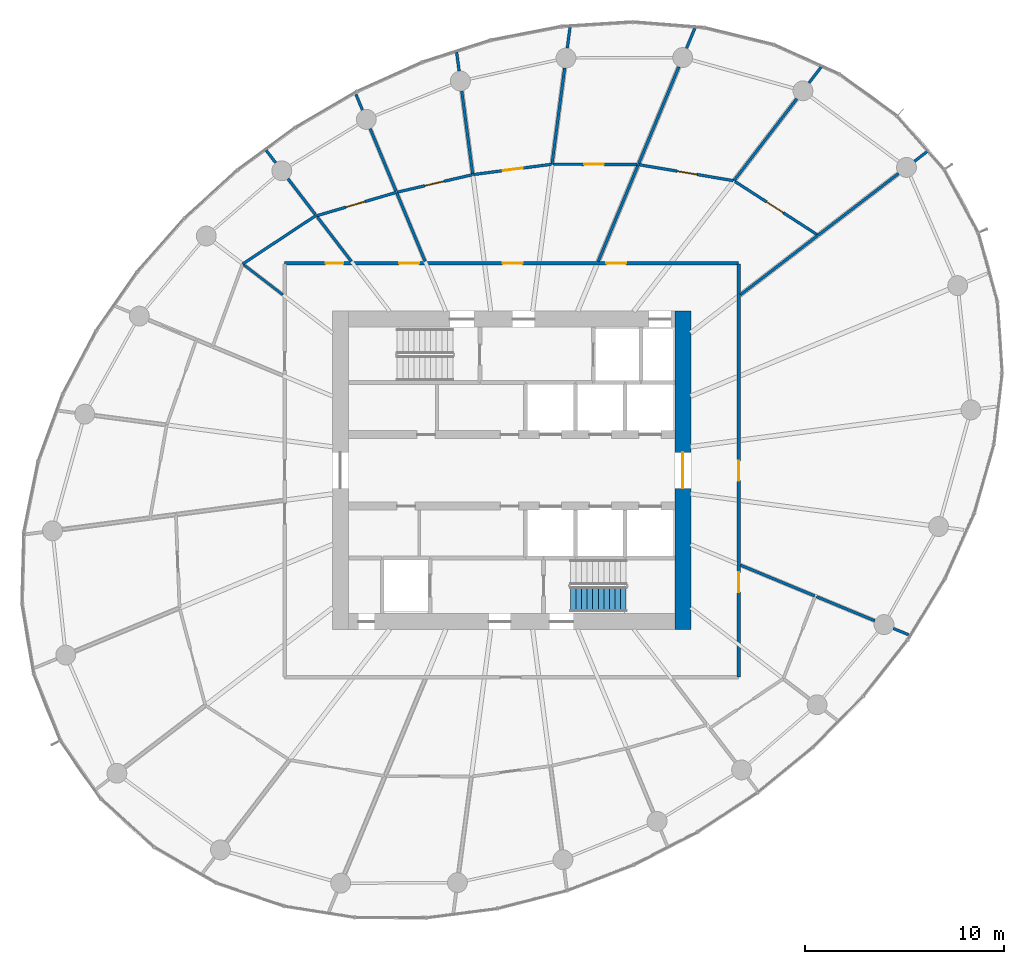
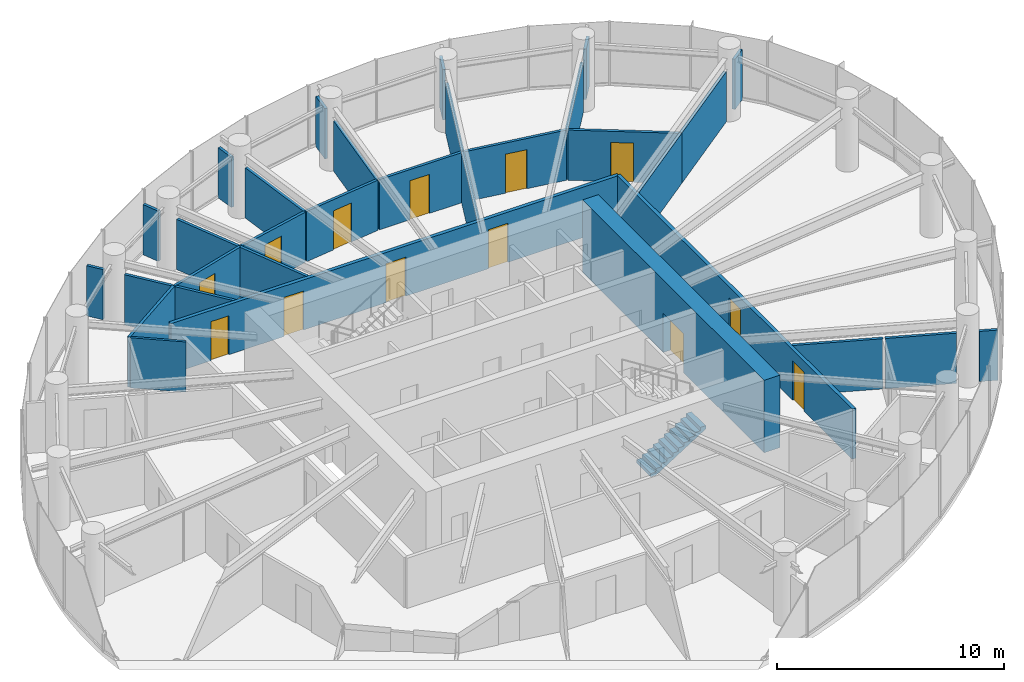
# One storey, part 11 of 15: 32 walls, 13 doors, 1 stair flight, 13 openings, 1 element without a shape of its own.
"""IFC4 building model written with IfcOpenShell, lengths in metres."""

from ifc_helpers import new_model, si_unit, direction, frame, frame_2d, origin, place, context, subcontext, project, spatial, line, indexed_curve, rectangle, outline, extrude, source, transform, mapped, material, layer, layer_set, type_object, element, fill, aggregate, save


model = new_model("IFC4")

# Units and contexts
model_context = context("Model", 3, precision=1e-05, world=origin(), true_north=direction((0.0, 1.0)))
body_context = subcontext(model_context, "Body", "Model", "MODEL_VIEW")
ifc_project = project(units=[si_unit("LENGTHUNIT", "METRE"), si_unit("AREAUNIT", "SQUARE_METRE"), si_unit("VOLUMEUNIT", "CUBIC_METRE"), si_unit("PLANEANGLEUNIT", "RADIAN"), si_unit("MASSUNIT", "GRAM", prefix="KILO")], contexts=[model_context])

# Site, building, storey
site_placement = place(None, origin())
site = spatial("IfcSite", under=ifc_project, at=site_placement, CompositionType="ELEMENT")
building_placement = place(site_placement, origin())
building = spatial("IfcBuilding", under=site, at=building_placement, Name="Spindrift Exchange Tower", CompositionType="ELEMENT")
storey_placement = place(building_placement, frame((0.0, 0.0, 176.0)))
storey = spatial("IfcBuildingStorey", under=building, at=storey_placement, Name="L42", CompositionType="ELEMENT", Elevation=176.0)

# Wall, opening, door
ifc_material_1 = material(Name="Concrete 65 MPa", Category="concrete")
ifc_layer_1 = layer(ifc_material_1, 0.800048828125)
ifc_layer_set_1 = layer_set([ifc_layer_1], Name="RC Core Wall 800 Concrete 65 MPa")
wall_type_1 = type_object("IfcWallType", Name="RC Core Wall 800 Concrete 65 MPa", PredefinedType="SHEAR", material=ifc_layer_set_1)
wall_1_placement = place(storey_placement, frame((60.60009765625, 40.0, 0.0), z_axis=(0.0, 0.0, 1.0), x_axis=(0.0, 1.0, 0.0)))
wall_1 = element("IfcWall", 1, at=wall_1_placement, inside=storey, type_object=wall_type_1, Name="Core wall E L42", PredefinedType="SHEAR", context=body_context, shape_type="SweptSolid", body=[
    extrude(rectangle(XDim=16.0, YDim=0.800048828125, at=frame_2d((8.0, 0.0))), origin(), (0.0, 0.0, 1.0), 3.89990234375),
])
opening_1_placement = place(wall_1_placement, frame((7.10009765625, 0.0, 0.0)))
opening_1 = element("IfcOpeningElement", 2, at=opening_1_placement, cuts=wall_1, Name="Opening L42-D2", PredefinedType="OPENING", context=body_context, shape_type="SweptSolid", body=[
    extrude(rectangle(XDim=1.800048828125, YDim=2.10009765625, at=frame_2d((0.89990234375, 1.050048828125))), frame((0.0, 0.409912109375, 0.0), z_axis=(0.0, -1.0, 0.0), x_axis=(1.0, 0.0, 0.0)), (0.0, 0.0, 1.0), 0.820068359375),
])
ifc_material_2 = material(Name="Timber-core fire door", Category="wood")
door_type_1 = type_object("IfcDoorType", Name="DR-LOBBY-1800", OperationType="NOTDEFINED", PredefinedType="DOOR", material=ifc_material_2)
shared_shape_1 = source(origin(), body_context, "Body", "SweptSolid", [
    extrude(rectangle(XDim=1.800048828125, YDim=2.10009765625, at=frame_2d((0.89990234375, 1.050048828125))), frame((0.0, 0.02490234375, 0.0), z_axis=(0.0, -1.0, 0.0), x_axis=(1.0, 0.0, 0.0)), (0.0, 0.0, 1.0), 0.050048828125),
])
door_1_placement = place(opening_1_placement, origin())
door_1 = element("IfcDoor", 3, at=door_1_placement, inside=storey, type_object=door_type_1, Name="L42 Lobby door 2", OperationType="SINGLE_SWING_RIGHT", OverallHeight=2.10009765625, OverallWidth=1.800048828125, PredefinedType="DOOR", context=body_context, shape_type="MappedRepresentation", body=[
    mapped(shared_shape_1, transform((0.0, 0.0, 0.0), scale=1.0)),
])
fill(opening_1, door_1)

# Wall, openings, doors
ifc_material_3 = material(Name="Fire-rated plasterboard partition", Category="gypsum")
ifc_layer_2 = layer(ifc_material_3, 0.179931640625)
ifc_layer_set_2 = layer_set([ifc_layer_2], Name="W-CORR-180")
wall_type_2 = type_object("IfcWallType", Name="W-CORR-180", PredefinedType="PARTITIONING", material=ifc_layer_set_2)
wall_2_placement = place(storey_placement, frame((40.60009765625, 58.39990234375, 0.0), z_axis=(0.0, 0.0, 1.0), x_axis=(1.0, 0.0, 0.0)))
wall_2 = element("IfcWall", 4, at=wall_2_placement, inside=storey, type_object=wall_type_2, Name="L42 Partition wall 27", PredefinedType="PARTITIONING", context=body_context, shape_type="SweptSolid", body=[
    extrude(rectangle(XDim=22.7998046875, YDim=0.179931640625, at=frame_2d((11.39990234375, 0.0))), origin(), (0.0, 0.0, 1.0), 2.699951171875),
])
opening_2_placement = place(wall_2_placement, frame((2.050048828125, 0.0, 0.0)))
opening_2 = element("IfcOpeningElement", 5, at=opening_2_placement, cuts=wall_2, Name="Opening L42-D19", PredefinedType="OPENING", context=body_context, shape_type="SweptSolid", body=[
    extrude(rectangle(XDim=0.89990234375, YDim=2.10009765625, at=frame_2d((0.449951171875, 1.050048828125))), frame((0.0, 0.099853515625, 0.0), z_axis=(0.0, -1.0, 0.0), x_axis=(1.0, 0.0, 0.0)), (0.0, 0.0, 1.0), 0.199951171875),
])
opening_3_placement = place(wall_2_placement, frame((16.14990234375, 0.0, 0.0)))
opening_3 = element("IfcOpeningElement", 6, at=opening_3_placement, cuts=wall_2, Name="Opening L42-D39", PredefinedType="OPENING", context=body_context, shape_type="SweptSolid", body=[
    extrude(rectangle(XDim=1.0, YDim=2.10009765625, at=frame_2d((0.5, 1.050048828125))), frame((0.0, 0.099853515625, 0.0), z_axis=(0.0, -1.0, 0.0), x_axis=(1.0, 0.0, 0.0)), (0.0, 0.0, 1.0), 0.199951171875),
])
opening_4_placement = place(wall_2_placement, frame((10.949951171875, 0.0, 0.0)))
opening_4 = element("IfcOpeningElement", 7, at=opening_4_placement, cuts=wall_2, Name="Opening L42-D42", PredefinedType="OPENING", context=body_context, shape_type="SweptSolid", body=[
    extrude(rectangle(XDim=1.0, YDim=2.10009765625, at=frame_2d((0.5, 1.050048828125))), frame((0.0, 0.099853515625, 0.0), z_axis=(0.0, -1.0, 0.0), x_axis=(1.0, 0.0, 0.0)), (0.0, 0.0, 1.0), 0.199951171875),
])
opening_5_placement = place(wall_2_placement, frame((5.75, 0.0, 0.0)))
opening_5 = element("IfcOpeningElement", 8, at=opening_5_placement, cuts=wall_2, Name="Opening L42-D46", PredefinedType="OPENING", context=body_context, shape_type="SweptSolid", body=[
    extrude(rectangle(XDim=1.0, YDim=2.10009765625, at=frame_2d((0.5, 1.050048828125))), frame((0.0, 0.099853515625, 0.0), z_axis=(0.0, -1.0, 0.0), x_axis=(1.0, 0.0, 0.0)), (0.0, 0.0, 1.0), 0.199951171875),
])
door_type_2 = type_object("IfcDoorType", Name="DR-ROOM-1000", OperationType="NOTDEFINED", PredefinedType="DOOR", material=ifc_material_2)
shared_shape_2 = source(origin(), body_context, "Body", "SweptSolid", [
    extrude(rectangle(XDim=1.0, YDim=2.10009765625, at=frame_2d((0.5, 1.050048828125))), frame((0.0, 0.02490234375, 0.0), z_axis=(0.0, -1.0, 0.0), x_axis=(1.0, 0.0, 0.0)), (0.0, 0.0, 1.0), 0.050048828125),
])
door_2_placement = place(opening_3_placement, origin())
door_2 = element("IfcDoor", 9, at=door_2_placement, inside=storey, type_object=door_type_2, Name="L42 Door 39", OperationType="SINGLE_SWING_RIGHT", OverallHeight=2.10009765625, OverallWidth=1.0, PredefinedType="DOOR", context=body_context, shape_type="MappedRepresentation", body=[
    mapped(shared_shape_2, transform((0.0, 0.0, 0.0), scale=1.0)),
])
fill(opening_3, door_2)
door_3_placement = place(opening_4_placement, origin())
door_3 = element("IfcDoor", 10, at=door_3_placement, inside=storey, type_object=door_type_2, Name="L42 Door 42", OperationType="SINGLE_SWING_LEFT", OverallHeight=2.10009765625, OverallWidth=1.0, PredefinedType="DOOR", context=body_context, shape_type="MappedRepresentation", body=[
    mapped(shared_shape_2, transform((0.0, 0.0, 0.0), scale=1.0)),
])
fill(opening_4, door_3)
door_4_placement = place(opening_5_placement, origin())
door_4 = element("IfcDoor", 11, at=door_4_placement, inside=storey, type_object=door_type_2, Name="L42 Door 46", OperationType="SINGLE_SWING_LEFT", OverallHeight=2.10009765625, OverallWidth=1.0, PredefinedType="DOOR", context=body_context, shape_type="MappedRepresentation", body=[
    mapped(shared_shape_2, transform((0.0, 0.0, 0.0), scale=1.0)),
])
fill(opening_5, door_4)
ifc_material_4 = material(Name="Laminate washroom door", Category="wood")
door_type_3 = type_object("IfcDoorType", Name="DR-WC-900", OperationType="NOTDEFINED", PredefinedType="DOOR", material=ifc_material_4)
shared_shape_3 = source(origin(), body_context, "Body", "SweptSolid", [
    extrude(rectangle(XDim=0.89990234375, YDim=2.10009765625, at=frame_2d((0.449951171875, 1.050048828125))), frame((0.0, 0.02490234375, 0.0), z_axis=(0.0, -1.0, 0.0), x_axis=(1.0, 0.0, 0.0)), (0.0, 0.0, 1.0), 0.050048828125),
])
door_5_placement = place(opening_2_placement, origin())
door_5 = element("IfcDoor", 12, at=door_5_placement, inside=storey, type_object=door_type_3, Name="L42 WC door 19", OperationType="SINGLE_SWING_RIGHT", OverallHeight=2.10009765625, OverallWidth=0.89990234375, PredefinedType="DOOR", context=body_context, shape_type="MappedRepresentation", body=[
    mapped(shared_shape_3, transform((0.0, 0.0, 0.0), scale=1.0)),
])
fill(opening_2, door_5)

wall_3_placement = place(storey_placement, frame((63.39990234375, 58.3701171875, 0.0), z_axis=(0.0, 0.0, 1.0), x_axis=(0.0, -1.0, 0.0)))
wall_3 = element("IfcWall", 13, at=wall_3_placement, inside=storey, type_object=wall_type_2, Name="L42 Partition wall 29", PredefinedType="PARTITIONING", context=body_context, shape_type="SweptSolid", body=[
    extrude(rectangle(XDim=20.740234375, YDim=0.179931640625, at=frame_2d((10.3701171875, 0.0))), origin(), (0.0, 0.0, 1.0), 2.699951171875),
])
opening_6_placement = place(wall_3_placement, frame((15.489990234375, 0.0, 0.0)))
opening_6 = element("IfcOpeningElement", 14, at=opening_6_placement, cuts=wall_3, Name="Opening L42-D35", PredefinedType="OPENING", context=body_context, shape_type="SweptSolid", body=[
    extrude(rectangle(XDim=1.0, YDim=2.10009765625, at=frame_2d((0.5, 1.050048828125))), frame((0.0, 0.099853515625, 0.0), z_axis=(0.0, -1.0, 0.0), x_axis=(1.0, 0.0, 0.0)), (0.0, 0.0, 1.0), 0.199951171875),
])
opening_7_placement = place(wall_3_placement, frame((9.889892578125, 0.0, 0.0)))
opening_7 = element("IfcOpeningElement", 15, at=opening_7_placement, cuts=wall_3, Name="Opening L42-D38", PredefinedType="OPENING", context=body_context, shape_type="SweptSolid", body=[
    extrude(rectangle(XDim=1.0, YDim=2.10009765625, at=frame_2d((0.5, 1.050048828125))), frame((0.0, 0.099853515625, 0.0), z_axis=(0.0, -1.0, 0.0), x_axis=(1.0, 0.0, 0.0)), (0.0, 0.0, 1.0), 0.199951171875),
])
door_6_placement = place(opening_6_placement, origin())
door_6 = element("IfcDoor", 16, at=door_6_placement, inside=storey, type_object=door_type_2, Name="L42 Door 35", OperationType="SINGLE_SWING_RIGHT", OverallHeight=2.10009765625, OverallWidth=1.0, PredefinedType="DOOR", context=body_context, shape_type="MappedRepresentation", body=[
    mapped(shared_shape_2, transform((0.0, 0.0, 0.0), scale=1.0)),
])
fill(opening_6, door_6)
door_7_placement = place(opening_7_placement, origin())
door_7 = element("IfcDoor", 17, at=door_7_placement, inside=storey, type_object=door_type_2, Name="L42 Door 38", OperationType="SINGLE_SWING_LEFT", OverallHeight=2.10009765625, OverallWidth=1.0, PredefinedType="DOOR", context=body_context, shape_type="MappedRepresentation", body=[
    mapped(shared_shape_2, transform((0.0, 0.0, 0.0), scale=1.0)),
])
fill(opening_7, door_7)

# Walls
ifc_layer_3 = layer(ifc_material_3, 0.139892578125)
ifc_layer_set_3 = layer_set([ifc_layer_3], Name="W-PART-140")
wall_type_3 = type_object("IfcWallType", Name="W-PART-140", PredefinedType="PARTITIONING", material=ifc_layer_set_3)
wall_4_placement = place(storey_placement, frame((56.34521484375, 58.489990234375, 0.0), z_axis=(0.0, 0.0, 1.0), x_axis=(0.382665709235, 0.923886873473, 0.0)))
element("IfcWall", 18, at=wall_4_placement, inside=storey, type_object=wall_type_3, Name="L42 Partition wall 33", PredefinedType="PARTITIONING", context=body_context, shape_type="SweptSolid", body=[
    extrude(rectangle(XDim=5.26611328125, YDim=0.139892578125, at=frame_2d((2.633056640625, 0.0))), origin(), (0.0, 0.0, 1.0), 2.699951171875),
])
wall_5_placement = place(storey_placement, frame((58.371826171875, 63.3828125, 0.0), z_axis=(0.0, 0.0, 1.0), x_axis=(0.382675537461, 0.923882802648, 0.0)))
element("IfcWall", 19, at=wall_5_placement, inside=storey, type_object=wall_type_3, Name="L42 Partition wall 36", PredefinedType="PARTITIONING", context=body_context, shape_type="SweptSolid", body=[
    extrude(rectangle(XDim=5.28369140625, YDim=0.139892578125, at=frame_2d((2.641845703125, 0.0))), origin(), (0.0, 0.0, 1.0), 2.699951171875),
])
wall_6_placement = place(storey_placement, frame((63.159423828125, 62.543212890625, 0.0), z_axis=(0.0, 0.0, 1.0), x_axis=(0.608780216018, 0.793338924159, 0.0)))
element("IfcWall", 20, at=wall_6_placement, inside=storey, type_object=wall_type_3, Name="L42 Partition wall 38", PredefinedType="PARTITIONING", context=body_context, shape_type="SweptSolid", body=[
    extrude(rectangle(XDim=5.188232421875, YDim=0.139892578125, at=frame_2d((2.59423828125, 0.0))), origin(), (0.0, 0.0, 1.0), 2.699951171875),
])
wall_7_placement = place(storey_placement, frame((67.3857421875, 59.805908203125, 0.0), z_axis=(0.0, 0.0, 1.0), x_axis=(0.79337017358, 0.608739490811, 0.0)))
element("IfcWall", 21, at=wall_7_placement, inside=storey, type_object=wall_type_3, Name="L42 Partition wall 40", PredefinedType="PARTITIONING", context=body_context, shape_type="SweptSolid", body=[
    extrude(rectangle(XDim=5.09228515625, YDim=0.139892578125, at=frame_2d((2.546142578125, 0.0))), origin(), (0.0, 0.0, 1.0), 2.699951171875),
])

# Wall, opening, door
wall_8_placement = place(storey_placement, frame((63.21826171875, 62.5048828125, 0.0), z_axis=(0.0, 0.0, 1.0), x_axis=(0.839336490457, -0.543612229247, 0.0)))
wall_8 = element("IfcWall", 22, at=wall_8_placement, inside=storey, type_object=wall_type_3, Name="L42 Partition wall 42", PredefinedType="PARTITIONING", context=body_context, shape_type="SweptSolid", body=[
    extrude(rectangle(XDim=4.935302734375, YDim=0.139892578125, at=frame_2d((2.4677734375, 0.0))), origin(), (0.0, 0.0, 1.0), 2.699951171875),
])
opening_8_placement = place(wall_8_placement, frame((1.885009765625, 0.0, 0.0)))
opening_8 = element("IfcOpeningElement", 23, at=opening_8_placement, cuts=wall_8, Name="Opening L42-D40", PredefinedType="OPENING", context=body_context, shape_type="SweptSolid", body=[
    extrude(rectangle(XDim=1.0, YDim=2.10009765625, at=frame_2d((0.5, 1.050048828125))), frame((0.0, 0.079833984375, 0.0), z_axis=(0.0, -1.0, 0.0), x_axis=(1.0, 0.0, 0.0)), (0.0, 0.0, 1.0), 0.159912109375),
])
door_8_placement = place(opening_8_placement, origin())
door_8 = element("IfcDoor", 24, at=door_8_placement, inside=storey, type_object=door_type_2, Name="L42 Door 40", OperationType="SINGLE_SWING_LEFT", OverallHeight=2.10009765625, OverallWidth=1.0, PredefinedType="DOOR", context=body_context, shape_type="MappedRepresentation", body=[
    mapped(shared_shape_2, transform((0.0, 0.0, 0.0), scale=1.0)),
])
fill(opening_8, door_8)

# Walls
wall_9_placement = place(storey_placement, frame((63.489990234375, 56.816650390625, 0.0), z_axis=(0.0, 0.0, 1.0), x_axis=(0.793354275357, 0.608760210405, 0.0)))
element("IfcWall", 25, at=wall_9_placement, inside=storey, type_object=wall_type_3, Name="L42 Partition wall 44", PredefinedType="PARTITIONING", context=body_context, shape_type="SweptSolid", body=[
    extrude(rectangle(XDim=4.88037109375, YDim=0.139892578125, at=frame_2d((2.440185546875, 0.0))), origin(), (0.0, 0.0, 1.0), 2.699951171875),
])
wall_10_placement = place(storey_placement, frame((54.02392578125, 63.372802734375, 0.0), z_axis=(0.0, 0.0, 1.0), x_axis=(0.130536143806, 0.991443551172, 0.0)))
element("IfcWall", 26, at=wall_10_placement, inside=storey, type_object=wall_type_3, Name="L42 Partition wall 46", PredefinedType="PARTITIONING", context=body_context, shape_type="SweptSolid", body=[
    extrude(rectangle(XDim=4.8740234375, YDim=0.139892578125, at=frame_2d((2.43701171875, 0.0))), origin(), (0.0, 0.0, 1.0), 2.699951171875),
])

# Wall, opening, door
wall_11_placement = place(storey_placement, frame((58.389892578125, 63.35009765625, 0.0), z_axis=(0.0, 0.0, 1.0), x_axis=(0.985986026567, -0.166827921569, 0.0)))
wall_11 = element("IfcWall", 27, at=wall_11_placement, inside=storey, type_object=wall_type_3, Name="L42 Partition wall 48", PredefinedType="PARTITIONING", context=body_context, shape_type="SweptSolid", body=[
    extrude(rectangle(XDim=4.807373046875, YDim=0.139892578125, at=frame_2d((2.40380859375, 0.0))), origin(), (0.0, 0.0, 1.0), 2.699951171875),
])
opening_9_placement = place(wall_11_placement, frame((1.957275390625, 0.0, 0.0)))
opening_9 = element("IfcOpeningElement", 28, at=opening_9_placement, cuts=wall_11, Name="Opening L42-D41", PredefinedType="OPENING", context=body_context, shape_type="SweptSolid", body=[
    extrude(rectangle(XDim=1.0, YDim=2.10009765625, at=frame_2d((0.5, 1.050048828125))), frame((0.0, 0.079833984375, 0.0), z_axis=(0.0, -1.0, 0.0), x_axis=(1.0, 0.0, 0.0)), (0.0, 0.0, 1.0), 0.159912109375),
])
door_9_placement = place(opening_9_placement, origin())
door_9 = element("IfcDoor", 29, at=door_9_placement, inside=storey, type_object=door_type_2, Name="L42 Door 41", OperationType="SINGLE_SWING_RIGHT", OverallHeight=2.10009765625, OverallWidth=1.0, PredefinedType="DOOR", context=body_context, shape_type="MappedRepresentation", body=[
    mapped(shared_shape_2, transform((0.0, 0.0, 0.0), scale=1.0)),
])
fill(opening_9, door_9)

# Wall
wall_12_placement = place(storey_placement, frame((42.176513671875, 60.802490234375, 0.0), z_axis=(0.0, 0.0, 1.0), x_axis=(-0.83401747031, -0.551738034957, 0.0)))
element("IfcWall", 30, at=wall_12_placement, inside=storey, type_object=wall_type_3, Name="L42 Partition wall 55", PredefinedType="PARTITIONING", context=body_context, shape_type="SweptSolid", body=[
    extrude(rectangle(XDim=4.41796875, YDim=0.139892578125, at=frame_2d((2.208984375, 0.0))), origin(), (0.0, 0.0, 1.0), 2.699951171875),
])

# Wall, opening, door
wall_13_placement = place(storey_placement, frame((54.094482421875, 63.372314453125, 0.0), z_axis=(0.0, 0.0, 1.0), x_axis=(0.999991918788, -0.004020243687, 0.0)))
wall_13 = element("IfcWall", 31, at=wall_13_placement, inside=storey, type_object=wall_type_3, Name="L42 Partition wall 57", PredefinedType="PARTITIONING", context=body_context, shape_type="SweptSolid", body=[
    extrude(rectangle(XDim=4.190185546875, YDim=0.139892578125, at=frame_2d((2.09521484375, 0.0))), origin(), (0.0, 0.0, 1.0), 2.699951171875),
])
opening_10_placement = place(wall_13_placement, frame((1.540283203125, 0.0, 0.0)))
opening_10 = element("IfcOpeningElement", 32, at=opening_10_placement, cuts=wall_13, Name="Opening L42-D43", PredefinedType="OPENING", context=body_context, shape_type="SweptSolid", body=[
    extrude(rectangle(XDim=1.0, YDim=2.10009765625, at=frame_2d((0.5, 1.050048828125))), frame((0.0, 0.079833984375, 0.0), z_axis=(0.0, -1.0, 0.0), x_axis=(1.0, 0.0, 0.0)), (0.0, 0.0, 1.0), 0.159912109375),
])
door_10_placement = place(opening_10_placement, origin())
door_10 = element("IfcDoor", 33, at=door_10_placement, inside=storey, type_object=door_type_2, Name="L42 Door 43", OperationType="SINGLE_SWING_RIGHT", OverallHeight=2.10009765625, OverallWidth=1.0, PredefinedType="DOOR", context=body_context, shape_type="MappedRepresentation", body=[
    mapped(shared_shape_2, transform((0.0, 0.0, 0.0), scale=1.0)),
])
fill(opening_10, door_10)

# Wall
wall_14_placement = place(storey_placement, frame((50.044921875, 62.850341796875, 0.0), z_axis=(0.0, 0.0, 1.0), x_axis=(-0.130506679213, 0.991447430115, 0.0)))
element("IfcWall", 34, at=wall_14_placement, inside=storey, type_object=wall_type_3, Name="L42 Partition wall 59", PredefinedType="PARTITIONING", context=body_context, shape_type="SweptSolid", body=[
    extrude(rectangle(XDim=4.237060546875, YDim=0.139892578125, at=frame_2d((2.11865234375, 0.0))), origin(), (0.0, 0.0, 1.0), 2.699951171875),
])

# Wall, opening, door
wall_15_placement = place(storey_placement, frame((42.19873046875, 60.782470703125, 0.0), z_axis=(0.0, 0.0, 1.0), x_axis=(0.959552813839, 0.28152867963, 0.0)))
wall_15 = element("IfcWall", 35, at=wall_15_placement, inside=storey, type_object=wall_type_3, Name="L42 Partition wall 61", PredefinedType="PARTITIONING", context=body_context, shape_type="SweptSolid", body=[
    extrude(rectangle(XDim=4.187744140625, YDim=0.139892578125, at=frame_2d((2.09375, 0.0))), origin(), (0.0, 0.0, 1.0), 2.699951171875),
])
opening_11_placement = place(wall_15_placement, frame((1.53759765625, 0.0, 0.0)))
opening_11 = element("IfcOpeningElement", 36, at=opening_11_placement, cuts=wall_15, Name="Opening L42-D47", PredefinedType="OPENING", context=body_context, shape_type="SweptSolid", body=[
    extrude(rectangle(XDim=1.0, YDim=2.10009765625, at=frame_2d((0.5, 1.050048828125))), frame((0.0, 0.079833984375, 0.0), z_axis=(0.0, -1.0, 0.0), x_axis=(1.0, 0.0, 0.0)), (0.0, 0.0, 1.0), 0.159912109375),
])
door_11_placement = place(opening_11_placement, origin())
door_11 = element("IfcDoor", 37, at=door_11_placement, inside=storey, type_object=door_type_2, Name="L42 Door 47", OperationType="SINGLE_SWING_RIGHT", OverallHeight=2.10009765625, OverallWidth=1.0, PredefinedType="DOOR", context=body_context, shape_type="MappedRepresentation", body=[
    mapped(shared_shape_2, transform((0.0, 0.0, 0.0), scale=1.0)),
])
fill(opening_11, door_11)

# Wall
wall_16_placement = place(storey_placement, frame((63.489990234375, 43.24072265625, 0.0), z_axis=(0.0, 0.0, 1.0), x_axis=(0.923881042502, -0.382679786906, 0.0)))
element("IfcWall", 38, at=wall_16_placement, inside=storey, type_object=wall_type_3, Name="L42 Partition wall 63", PredefinedType="PARTITIONING", context=body_context, shape_type="SweptSolid", body=[
    extrude(rectangle(XDim=4.031982421875, YDim=0.139892578125, at=frame_2d((2.01611328125, 0.0))), origin(), (0.0, 0.0, 1.0), 2.699951171875),
])

# Wall, opening, door
wall_17_placement = place(storey_placement, frame((50.07470703125, 62.854248046875, 0.0), z_axis=(0.0, 0.0, 1.0), x_axis=(0.991489154897, 0.130189307246, 0.0)))
wall_17 = element("IfcWall", 39, at=wall_17_placement, inside=storey, type_object=wall_type_3, Name="L42 Partition wall 65", PredefinedType="PARTITIONING", context=body_context, shape_type="SweptSolid", body=[
    extrude(rectangle(XDim=3.953125, YDim=0.139892578125, at=frame_2d((1.9765625, 0.0))), origin(), (0.0, 0.0, 1.0), 2.699951171875),
])
opening_12_placement = place(wall_17_placement, frame((1.503173828125, 0.0, 0.0)))
opening_12 = element("IfcOpeningElement", 40, at=opening_12_placement, cuts=wall_17, Name="Opening L42-D44", PredefinedType="OPENING", context=body_context, shape_type="SweptSolid", body=[
    extrude(rectangle(XDim=1.0, YDim=2.10009765625, at=frame_2d((0.5, 1.050048828125))), frame((0.0, 0.079833984375, 0.0), z_axis=(0.0, -1.0, 0.0), x_axis=(1.0, 0.0, 0.0)), (0.0, 0.0, 1.0), 0.159912109375),
])
door_12_placement = place(opening_12_placement, origin())
door_12 = element("IfcDoor", 41, at=door_12_placement, inside=storey, type_object=door_type_2, Name="L42 Door 44", OperationType="SINGLE_SWING_LEFT", OverallHeight=2.10009765625, OverallWidth=1.0, PredefinedType="DOOR", context=body_context, shape_type="MappedRepresentation", body=[
    mapped(shared_shape_2, transform((0.0, 0.0, 0.0), scale=1.0)),
])
fill(opening_12, door_12)

wall_18_placement = place(storey_placement, frame((46.24609375, 61.96826171875, 0.0), z_axis=(0.0, 0.0, 1.0), x_axis=(0.974087273118, 0.226172465941, 0.0)))
wall_18 = element("IfcWall", 42, at=wall_18_placement, inside=storey, type_object=wall_type_3, Name="L42 Partition wall 66", PredefinedType="PARTITIONING", context=body_context, shape_type="SweptSolid", body=[
    extrude(rectangle(XDim=3.869873046875, YDim=0.139892578125, at=frame_2d((1.93505859375, 0.0))), origin(), (0.0, 0.0, 1.0), 2.699951171875),
])
opening_13_placement = place(wall_18_placement, frame((1.419921875, 0.0, 0.0)))
opening_13 = element("IfcOpeningElement", 43, at=opening_13_placement, cuts=wall_18, Name="Opening L42-D45", PredefinedType="OPENING", context=body_context, shape_type="SweptSolid", body=[
    extrude(rectangle(XDim=1.0, YDim=2.10009765625, at=frame_2d((0.5, 1.050048828125))), frame((0.0, 0.079833984375, 0.0), z_axis=(0.0, -1.0, 0.0), x_axis=(1.0, 0.0, 0.0)), (0.0, 0.0, 1.0), 0.159912109375),
])
door_13_placement = place(opening_13_placement, origin())
door_13 = element("IfcDoor", 44, at=door_13_placement, inside=storey, type_object=door_type_2, Name="L42 Door 45", OperationType="SINGLE_SWING_RIGHT", OverallHeight=2.10009765625, OverallWidth=1.0, PredefinedType="DOOR", context=body_context, shape_type="MappedRepresentation", body=[
    mapped(shared_shape_2, transform((0.0, 0.0, 0.0), scale=1.0)),
])
fill(opening_13, door_13)

# Walls
wall_19_placement = place(storey_placement, frame((47.65478515625, 58.489990234375, 0.0), z_axis=(0.0, 0.0, 1.0), x_axis=(-0.382656467663, 0.923890701196, 0.0)))
element("IfcWall", 45, at=wall_19_placement, inside=storey, type_object=wall_type_3, Name="L42 Partition wall 69", PredefinedType="PARTITIONING", context=body_context, shape_type="SweptSolid", body=[
    extrude(rectangle(XDim=3.727294921875, YDim=0.139892578125, at=frame_2d((1.86376953125, 0.0))), origin(), (0.0, 0.0, 1.0), 2.699951171875),
])
wall_20_placement = place(storey_placement, frame((46.18994140625, 62.026611328125, 0.0), z_axis=(0.0, 0.0, 1.0), x_axis=(-0.382697308523, 0.923873784696, 0.0)))
element("IfcWall", 46, at=wall_20_placement, inside=storey, type_object=wall_type_3, Name="L42 Partition wall 72", PredefinedType="PARTITIONING", context=body_context, shape_type="SweptSolid", body=[
    extrude(rectangle(XDim=3.390625, YDim=0.139892578125, at=frame_2d((1.6953125, 0.0))), origin(), (0.0, 0.0, 1.0), 2.699951171875),
])
wall_21_placement = place(storey_placement, frame((67.307373046875, 41.659423828125, 0.0), z_axis=(0.0, 0.0, 1.0), x_axis=(0.923882446808, -0.382676396554, 0.0)))
element("IfcWall", 47, at=wall_21_placement, inside=storey, type_object=wall_type_3, Name="L42 Partition wall 73", PredefinedType="PARTITIONING", context=body_context, shape_type="SweptSolid", body=[
    extrude(rectangle(XDim=3.166259765625, YDim=0.139892578125, at=frame_2d((1.5830078125, 0.0))), origin(), (0.0, 0.0, 1.0), 2.699951171875),
])
wall_22_placement = place(storey_placement, frame((43.95068359375, 58.489990234375, 0.0), z_axis=(0.0, 0.0, 1.0), x_axis=(-0.608728570765, 0.793378552228, 0.0)))
element("IfcWall", 48, at=wall_22_placement, inside=storey, type_object=wall_type_3, Name="L42 Partition wall 74", PredefinedType="PARTITIONING", context=body_context, shape_type="SweptSolid", body=[
    extrude(rectangle(XDim=2.812255859375, YDim=0.139892578125, at=frame_2d((1.40625, 0.0))), origin(), (0.0, 0.0, 1.0), 2.699951171875),
])
wall_23_placement = place(storey_placement, frame((42.1337890625, 60.85791015625, 0.0), z_axis=(0.0, 0.0, 1.0), x_axis=(-0.608725150362, 0.793381176558, 0.0)))
element("IfcWall", 49, at=wall_23_placement, inside=storey, type_object=wall_type_3, Name="L42 Partition wall 79", PredefinedType="PARTITIONING", context=body_context, shape_type="SweptSolid", body=[
    extrude(rectangle(XDim=2.251708984375, YDim=0.139892578125, at=frame_2d((1.1259765625, 0.0))), origin(), (0.0, 0.0, 1.0), 2.699951171875),
])
wall_24_placement = place(storey_placement, frame((60.7802734375, 69.197509765625, 0.0), z_axis=(0.0, 0.0, 1.0), x_axis=(0.382597376548, 0.923915173302, 0.0)))
element("IfcWall", 50, at=wall_24_placement, inside=storey, type_object=wall_type_3, Name="L42 Partition wall 85", PredefinedType="PARTITIONING", context=body_context, shape_type="SweptSolid", body=[
    extrude(rectangle(XDim=1.082763671875, YDim=0.139892578125, at=frame_2d((0.54150390625, 0.0))), origin(), (0.0, 0.0, 1.0), 2.699951171875),
])
wall_25_placement = place(storey_placement, frame((54.791748046875, 69.205322265625, 0.0), z_axis=(0.0, 0.0, 1.0), x_axis=(0.130569518357, 0.991439156417, 0.0)))
element("IfcWall", 51, at=wall_25_placement, inside=storey, type_object=wall_type_3, Name="L42 Partition wall 87", PredefinedType="PARTITIONING", context=body_context, shape_type="SweptSolid", body=[
    extrude(rectangle(XDim=1.04345703125, YDim=0.139892578125, at=frame_2d((0.521728515625, 0.0))), origin(), (0.0, 0.0, 1.0), 2.699951171875),
])
wall_26_placement = place(storey_placement, frame((66.931884765625, 67.459716796875, 0.0), z_axis=(0.0, 0.0, 1.0), x_axis=(0.608815264587, 0.793312027897, 0.0)))
element("IfcWall", 52, at=wall_26_placement, inside=storey, type_object=wall_type_3, Name="L42 Partition wall 88", PredefinedType="PARTITIONING", context=body_context, shape_type="SweptSolid", body=[
    extrude(rectangle(XDim=1.014892578125, YDim=0.139892578125, at=frame_2d((0.50732421875, 0.0))), origin(), (0.0, 0.0, 1.0), 2.699951171875),
])
wall_27_placement = place(storey_placement, frame((49.360107421875, 68.051513671875, 0.0), z_axis=(0.0, 0.0, 1.0), x_axis=(-0.130434626054, 0.991456911987, 0.0)))
element("IfcWall", 53, at=wall_27_placement, inside=storey, type_object=wall_type_3, Name="L42 Partition wall 91", PredefinedType="PARTITIONING", context=body_context, shape_type="SweptSolid", body=[
    extrude(rectangle(XDim=0.95263671875, YDim=0.139892578125, at=frame_2d((0.476318359375, 0.0))), origin(), (0.0, 0.0, 1.0), 2.699951171875),
])
wall_28_placement = place(storey_placement, frame((44.505859375, 66.09228515625, 0.0), z_axis=(0.0, 0.0, 1.0), x_axis=(-0.382722863119, 0.923863198772, 0.0)))
element("IfcWall", 54, at=wall_28_placement, inside=storey, type_object=wall_type_3, Name="L42 Partition wall 94", PredefinedType="PARTITIONING", context=body_context, shape_type="SweptSolid", body=[
    extrude(rectangle(XDim=0.852294921875, YDim=0.139892578125, at=frame_2d((0.42626953125, 0.0))), origin(), (0.0, 0.0, 1.0), 2.699951171875),
])
wall_29_placement = place(storey_placement, frame((72.22607421875, 63.52001953125, 0.0), z_axis=(0.0, 0.0, 1.0), x_axis=(0.793296212725, 0.608835871871, 0.0)))
element("IfcWall", 55, at=wall_29_placement, inside=storey, type_object=wall_type_3, Name="L42 Partition wall 98", PredefinedType="PARTITIONING", context=body_context, shape_type="SweptSolid", body=[
    extrude(rectangle(XDim=0.83642578125, YDim=0.139892578125, at=frame_2d((0.418212890625, 0.0))), origin(), (0.0, 0.0, 1.0), 2.699951171875),
])
wall_30_placement = place(storey_placement, frame((71.166015625, 40.061279296875, 0.0), z_axis=(0.0, 0.0, 1.0), x_axis=(0.923909393783, -0.382611332921, 0.0)))
element("IfcWall", 56, at=wall_30_placement, inside=storey, type_object=wall_type_3, Name="L42 Partition wall 100", PredefinedType="PARTITIONING", context=body_context, shape_type="SweptSolid", body=[
    extrude(rectangle(XDim=0.830810546875, YDim=0.139892578125, at=frame_2d((0.41552734375, 0.0))), origin(), (0.0, 0.0, 1.0), 2.699951171875),
])
wall_31_placement = place(storey_placement, frame((40.14892578125, 63.444580078125, 0.0), z_axis=(0.0, 0.0, 1.0), x_axis=(-0.608659697441, 0.793431391307, 0.0)))
element("IfcWall", 57, at=wall_31_placement, inside=storey, type_object=wall_type_3, Name="L42 Partition wall 103", PredefinedType="PARTITIONING", context=body_context, shape_type="SweptSolid", body=[
    extrude(rectangle(XDim=0.7861328125, YDim=0.139892578125, at=frame_2d((0.39306640625, 0.0))), origin(), (0.0, 0.0, 1.0), 2.699951171875),
])
ifc_layer_4 = layer(ifc_material_3, 0.1201171875)
ifc_layer_set_4 = layer_set([ifc_layer_4], Name="W-WET-120")
wall_type_4 = type_object("IfcWallType", Name="W-WET-120", PredefinedType="PARTITIONING", material=ifc_layer_set_4)
wall_32_placement = place(storey_placement, frame((40.510009765625, 56.816650390625, 0.0), z_axis=(0.0, 0.0, 1.0), x_axis=(-0.793380380559, 0.608726187825, 0.0)))
element("IfcWall", 58, at=wall_32_placement, inside=storey, type_object=wall_type_4, Name="L42 Partition wall 104", PredefinedType="PARTITIONING", context=body_context, shape_type="SweptSolid", body=[
    extrude(rectangle(XDim=2.4697265625, YDim=0.1201171875, at=frame_2d((1.23486328125, 0.0))), origin(), (0.0, 0.0, 1.0), 2.699951171875),
])

# Stair, stair flight
ifc_material_5 = material(Name="Concrete 50 MPa", Category="concrete")
stair_type = type_object("IfcStairType", Name="ST-1250-R177", PredefinedType="HALF_TURN_STAIR", material=ifc_material_5)
stair_placement = place(storey_placement, origin())
stair = element("IfcStair", 59, at=stair_placement, inside=storey, type_object=stair_type, Name="L42 Exit stair ST2", PredefinedType="HALF_TURN_STAIR")
stair_flight_type = type_object("IfcStairFlightType", Name="STF-1250-R177", PredefinedType="STRAIGHT", material=ifc_material_5)
stair_flight_placement = place(storey_placement, frame((54.949951171875, 41.52490234375, 0.0), z_axis=(0.0, 0.0, 1.0), x_axis=(1.0, 0.0, 0.0)))
stair_flight = element("IfcStairFlight", 60, at=stair_flight_placement, type_object=stair_flight_type, Name="ST2 flight 1", NumberOfRisers=11, NumberOfTreads=10, PredefinedType="STRAIGHT", RiserHeight=0.177272727, TreadLength=0.28, context=body_context, shape_type="SweptSolid", body=[
    extrude(outline(indexed_curve([(0.0, 0.0), (0.0, 0.177734375), (0.2802734375, 0.177734375), (0.2802734375, 0.3544921875), (0.5595703125, 0.3544921875), (0.5595703125, 0.5322265625), (0.83984375, 0.5322265625), (0.83984375, 0.708984375), (1.1201171875, 0.708984375), (1.1201171875, 0.88671875), (1.400390625, 0.88671875), (1.400390625, 1.0634765625), (1.6796875, 1.0634765625), (1.6796875, 1.2412109375), (1.9599609375, 1.2412109375), (1.9599609375, 1.41796875), (2.240234375, 1.41796875), (2.240234375, 1.595703125), (2.51953125, 1.595703125), (2.51953125, 1.7724609375), (2.7998046875, 1.7724609375), (2.7998046875, 1.9501953125), (2.7998046875, 1.595703125), (0.2802734375, 0.0)], segments=[line(1, 2, 3, 4, 5, 6, 7, 8, 9, 10, 11, 12, 13, 14, 15, 16, 17, 18, 19, 20, 21, 22, 23, 24, 1)], self_intersect=False)), frame((0.0, 0.625, 0.0), z_axis=(0.0, -1.0, 0.0), x_axis=(1.0, 0.0, 0.0)), (0.0, 0.0, 1.0), 1.25),
])
aggregate(stair, [stair_flight])

save(model, "model.ifc")
